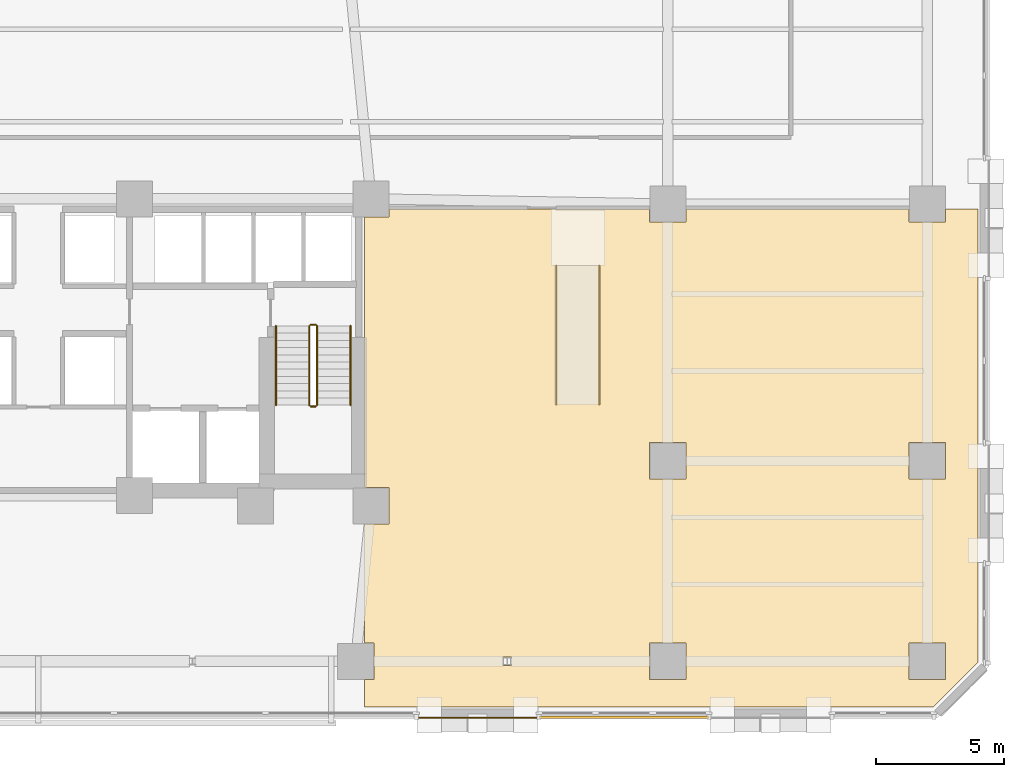
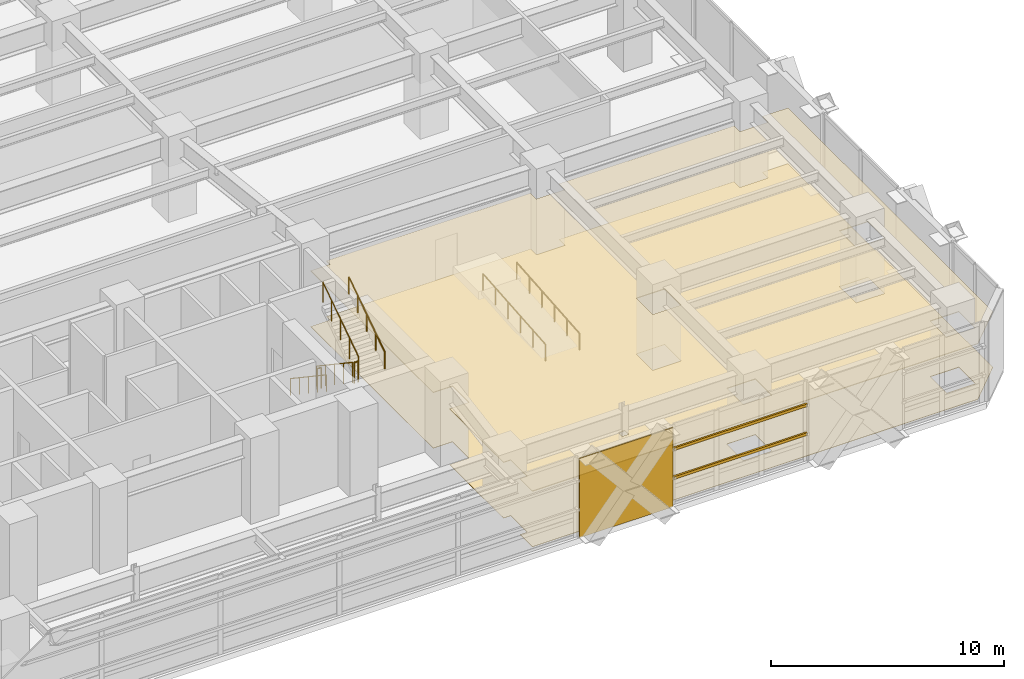
# One storey, part 26 of 30: 8 railings, 3 coverings, 2 shading devices.
"""IFC4 building model written with IfcOpenShell, lengths in metres."""

import ifcopenshell
import ifcopenshell.guid

model = None  # the IFC model being written
_history = None  # IfcOwnerHistory: only IFC2X3 demands one
_inside = {}  # id of a spatial element -> (the spatial element, [elements in it])
_under = {}  # id of a project, library or spatial element -> (it, [spatial elements below it])
_declared = {}  # id of a project -> (the project, [libraries it declares])
_typed = {}  # id of a type object -> (the type object, [elements of that type])
_made_of = {}  # id of a material, layer set ... -> (it, [elements and type objects made of it])


def new_model(schema):
    """Start an empty IFC model of exactly this schema.

    Asked for "IFC4X3", IfcOpenShell would pick the latest addendum, in which some entities
    have other attributes; the version numbers below select the first issue.
    IFC2X3 requires an IfcOwnerHistory on every rooted entity: one is made here for all.
    """
    global model, _history
    if schema == "IFC4X3":
        model = ifcopenshell.file(schema_version=(4, 3, 0, 0))
    else:
        model = ifcopenshell.file(schema=schema)
    _inside.clear()
    _under.clear()
    _declared.clear()
    _typed.clear()
    _made_of.clear()
    _history = None
    if model.schema == "IFC2X3":
        org = make("IfcOrganization", Name="unknown")
        user = make(
            "IfcPersonAndOrganization",
            ThePerson=make("IfcPerson", FamilyName="unknown"),
            TheOrganization=org,
        )
        app = make(
            "IfcApplication",
            ApplicationDeveloper=org,
            Version="unknown",
            ApplicationFullName="unknown",
            ApplicationIdentifier="unknown",
        )
        _history = make(
            "IfcOwnerHistory",
            OwningUser=user,
            OwningApplication=app,
            ChangeAction="ADDED",
            CreationDate=0,
        )
    return model


def make(cls, **values):
    """One entity of the class cls with the attributes given. An attribute that is None is left unset."""
    return model.create_entity(
        cls, **{name: value for name, value in values.items() if value is not None}
    )


def rooted(cls, **values):
    """An entity with a GlobalId (a new one), such as an element, a storey or a relation."""
    return make(cls, GlobalId=ifcopenshell.guid.new(), OwnerHistory=_history, **values)


def si_unit(unit_type, name, prefix=None):
    """IfcSIUnit, for example si_unit("LENGTHUNIT", "METRE", prefix="MILLI")."""
    return make("IfcSIUnit", UnitType=unit_type, Prefix=prefix, Name=name)


def assignment(units):
    """IfcUnitAssignment: the units of a project."""
    return None if units is None else make("IfcUnitAssignment", Units=units)


def point(xyz):
    """IfcCartesianPoint."""
    return None if xyz is None else make("IfcCartesianPoint", Coordinates=xyz)


def direction(xyz):
    """IfcDirection."""
    return None if xyz is None else make("IfcDirection", DirectionRatios=xyz)


def frame(location, z_axis=None, x_axis=None):
    """IfcAxis2Placement3D, a coordinate frame: its origin and axes. An axis left out is left unset."""
    return make(
        "IfcAxis2Placement3D",
        Location=point(location),
        Axis=direction(z_axis),
        RefDirection=direction(x_axis),
    )


def frame_2d(location, x_axis=None):
    """IfcAxis2Placement2D, a coordinate frame in the plane: its origin and x axis."""
    return make(
        "IfcAxis2Placement2D", Location=point(location), RefDirection=direction(x_axis)
    )


def origin():
    """The frame at (0, 0, 0) with its axes left unset."""
    return frame((0.0, 0.0, 0.0))


def origin_2d():
    """The frame at (0, 0) in the plane with its x axis left unset."""
    return frame_2d((0.0, 0.0))


def place(relative_to, where):
    """IfcLocalPlacement: puts the frame where relative to a parent placement (None: the world)."""
    return make(
        "IfcLocalPlacement", PlacementRelTo=relative_to, RelativePlacement=where
    )


def context(
    kind, dimensions, precision=None, world=None, true_north=None, identifier=None
):
    """IfcGeometricRepresentationContext, for example the 3D "Model" context."""
    return make(
        "IfcGeometricRepresentationContext",
        ContextIdentifier=identifier,
        ContextType=kind,
        CoordinateSpaceDimension=dimensions,
        Precision=precision,
        WorldCoordinateSystem=world,
        TrueNorth=true_north,
    )


def subcontext(parent, identifier, kind, view, scale=None):
    """IfcGeometricRepresentationSubContext, for example "Body" below "Model"."""
    return make(
        "IfcGeometricRepresentationSubContext",
        ContextIdentifier=identifier,
        ContextType=kind,
        ParentContext=parent,
        TargetScale=scale,
        TargetView=view,
    )


def project(units=None, contexts=None):
    """IfcProject with its units and contexts."""
    return rooted(
        "IfcProject",
        Name="project",
        RepresentationContexts=contexts,
        UnitsInContext=assignment(units),
    )


def spatial(cls, under=None, at=None, **own):
    """A site, building, storey or space (cls), placed at a placement, below another one or the project."""
    s = rooted(cls, ObjectPlacement=at, **own)
    if under is not None:
        _under.setdefault(under.id(), (under, []))[1].append(s)
    return s


def polyline(points):
    """IfcPolyline through the points."""
    return make("IfcPolyline", Points=[point(p) for p in points])


def profile(cls, at=None, kind="AREA", **sizes):
    """A parametric profile (cls). Its sizes go by their IFC names, for example OverallWidth=200.0."""
    return make(cls, ProfileType=kind, Position=at, **sizes)


def rectangle(**sizes):
    """IfcRectangleProfileDef."""
    return profile("IfcRectangleProfileDef", **sizes)


def circle(**sizes):
    """IfcCircleProfileDef."""
    return profile("IfcCircleProfileDef", **sizes)


def outline(outer, holes=None, kind="AREA"):
    """IfcArbitraryClosedProfileDef: a profile drawn as a closed curve; with holes, ...WithVoids."""
    if holes is None:
        return make("IfcArbitraryClosedProfileDef", ProfileType=kind, OuterCurve=outer)
    return make(
        "IfcArbitraryProfileDefWithVoids",
        ProfileType=kind,
        OuterCurve=outer,
        InnerCurves=holes,
    )


def extrude(swept, where, along, depth):
    """IfcExtrudedAreaSolid: the profile swept, set in the frame where, extruded along a direction by depth."""
    return make(
        "IfcExtrudedAreaSolid",
        SweptArea=swept,
        Position=where,
        ExtrudedDirection=direction(along),
        Depth=depth,
    )


def shape(context_of_items, identifier, shape_type, items):
    """IfcShapeRepresentation: the items that make up one representation, for example the "Body"."""
    return make(
        "IfcShapeRepresentation",
        ContextOfItems=context_of_items,
        RepresentationIdentifier=identifier,
        RepresentationType=shape_type,
        Items=items,
    )


def material(Name=None, Category=None):
    """IfcMaterial."""
    return make("IfcMaterial", Name=Name, Category=Category)


def layer(
    of_material, thickness, ventilated=None, Name=None, Category=None, Priority=None
):
    """IfcMaterialLayer: one layer of a wall or slab, of a material (None: an air gap)."""
    return make(
        "IfcMaterialLayer",
        Material=of_material,
        LayerThickness=thickness,
        IsVentilated=ventilated,
        Name=Name,
        Category=Category,
        Priority=Priority,
    )


def layer_set(layers, Name=None):
    """IfcMaterialLayerSet."""
    return make("IfcMaterialLayerSet", MaterialLayers=layers, LayerSetName=Name)


def material_profile(
    of_material, cross_section, Name=None, Category=None, Priority=None
):
    """IfcMaterialProfile: a cross section and its material."""
    return make(
        "IfcMaterialProfile",
        Name=Name,
        Material=of_material,
        Profile=cross_section,
        Priority=Priority,
        Category=Category,
    )


def profile_set(profiles, Name=None, composite=None):
    """IfcMaterialProfileSet."""
    return make(
        "IfcMaterialProfileSet",
        Name=Name,
        MaterialProfiles=profiles,
        CompositeProfile=composite,
    )


def made_of(thing, what):
    """Note that an element or type object is made of a material, layer set ...; save() writes the relation."""
    if what is not None:
        _made_of.setdefault(what.id(), (what, []))[1].append(thing)
    return thing


def type_object(cls, material=None, **own):
    """A type object (cls), such as IfcWallType, which elements share."""
    return made_of(rooted(cls, **own), material)


def element(
    cls,
    number,
    at=None,
    inside=None,
    cuts=None,
    type_object=None,
    material=None,
    context=None,
    identifier="Body",
    shape_type=None,
    held_by="IfcProductDefinitionShape",
    body=None,
    shapes=None,
    **own,
):
    """One element of the class cls, such as IfcWall. Its Tag is "e" and its number.

    at: its placement. inside: the storey or other place that contains it. cuts: it is an
    opening in that element (IfcRelVoidsElement). A single representation is given by context,
    identifier, shape_type and body (its items); several are given by shapes. held_by: the class
    of the entity that holds the representations. save() writes the other relations.
    """
    e = rooted(cls, Tag="e%d" % number, ObjectPlacement=at, **own)
    if body is not None:
        shapes = [shape(context, identifier, shape_type, body)]
    if shapes is not None:
        e.Representation = make(held_by, Representations=shapes)
    if inside is not None:
        _inside.setdefault(inside.id(), (inside, []))[1].append(e)
    if cuts is not None:
        rooted(
            "IfcRelVoidsElement", RelatingBuildingElement=cuts, RelatedOpeningElement=e
        )
    if type_object is not None:
        _typed.setdefault(type_object.id(), (type_object, []))[1].append(e)
    return made_of(e, material)


def aggregate(whole, parts):
    """IfcRelAggregates: a whole, such as a stair, and the parts it consists of."""
    return rooted("IfcRelAggregates", RelatingObject=whole, RelatedObjects=parts)


def save(model, path):
    """Write the relations noted so far, then the file.

    IfcRelAggregates (storeys below a building ...), IfcRelContainedInSpatialStructure (elements
    in a storey), IfcRelDefinesByType, IfcRelAssociatesMaterial and IfcRelDeclares: one each for
    every whole, place, type object, material and project.
    """
    for whole, parts in _under.values():
        aggregate(whole, parts)
    for where, things in _inside.values():
        rooted(
            "IfcRelContainedInSpatialStructure",
            RelatedElements=things,
            RelatingStructure=where,
        )
    for kind, things in _typed.values():
        rooted("IfcRelDefinesByType", RelatedObjects=things, RelatingType=kind)
    for what, things in _made_of.values():
        rooted("IfcRelAssociatesMaterial", RelatedObjects=things, RelatingMaterial=what)
    for by, libraries in _declared.values():
        rooted("IfcRelDeclares", RelatingContext=by, RelatedDefinitions=libraries)
    model.write(path)


model = new_model("IFC4")

# Units and contexts
model_context = context("Model", 3, precision=1e-05, world=origin(), true_north=direction((0.0, 1.0)))
body_context = subcontext(model_context, "Body", "Model", "MODEL_VIEW")
ifc_project = project(units=[si_unit("LENGTHUNIT", "METRE"), si_unit("AREAUNIT", "SQUARE_METRE"), si_unit("VOLUMEUNIT", "CUBIC_METRE"), si_unit("PLANEANGLEUNIT", "RADIAN"), si_unit("MASSUNIT", "GRAM", prefix="KILO")], contexts=[model_context])

# Site, building, storey
site_placement = place(None, origin())
site = spatial("IfcSite", under=ifc_project, at=site_placement, CompositionType="ELEMENT")
building_placement = place(site_placement, origin())
building = spatial("IfcBuilding", under=site, at=building_placement, Name="Quenlor Broadcast Tower", CompositionType="ELEMENT")
storey_placement = place(building_placement, frame((0.0, 0.0, 9.5)))
storey = spatial("IfcBuildingStorey", under=building, at=storey_placement, Name="L02", CompositionType="ELEMENT", Elevation=9.5)

# Covering
ifc_material_1 = material(Name="Acoustic Gypsum Board", Category="other")
ifc_layer_1 = layer(ifc_material_1, 0.0400390625)
ifc_layer_set_1 = layer_set([ifc_layer_1], Name="Broadcast Studio Spring Isolated Ceiling 40")
covering_type_1 = type_object("IfcCoveringType", Name="Broadcast Studio Spring Isolated Ceiling 40", PredefinedType="CEILING", material=ifc_layer_set_1)
covering_1_placement = place(storey_placement, frame((0.0, 0.0, 2.909912109375)))
element("IfcCovering", 1, at=covering_1_placement, inside=storey, type_object=covering_type_1, Name="L02 Acoustic Ceiling L02-32", PredefinedType="CEILING", context=body_context, shape_type="SweptSolid", body=[
    extrude(outline(polyline([(12.699951171875, -24.580078125), (12.699951171875, -23.508056640625), (13.05810546875, -23.508056640625), (13.05810546875, -22.092041015625), (12.699951171875, -22.092041015625), (12.699951171875, -17.4580078125), (13.657958984375, -17.4580078125), (13.657958984375, -16.0419921875), (12.699951171875, -16.0419921875), (12.699951171875, -5.508056640625), (13.657958984375, -5.508056640625), (13.657958984375, -5.199951171875), (23.7919921875, -5.199951171875), (23.7919921875, -5.7080078125), (25.2080078125, -5.7080078125), (25.2080078125, -5.199951171875), (33.89208984375, -5.199951171875), (33.89208984375, -5.7080078125), (35.30810546875, -5.7080078125), (35.30810546875, -5.199951171875), (36.580078125, -5.199951171875), (36.580078125, -22.825927734375), (34.825927734375, -24.580078125), (12.699951171875, -24.580078125)]), holes=[polyline([(35.30810546875, -23.508056640625), (35.30810546875, -22.092041015625), (33.89208984375, -22.092041015625), (33.89208984375, -23.508056640625), (35.30810546875, -23.508056640625)]), polyline([(18.41259765625, -22.96826171875), (18.41259765625, -22.631591796875), (18.08740234375, -22.631591796875), (18.08740234375, -22.96826171875), (18.41259765625, -22.96826171875)]), polyline([(25.2080078125, -23.508056640625), (25.2080078125, -22.092041015625), (23.7919921875, -22.092041015625), (23.7919921875, -23.508056640625), (25.2080078125, -23.508056640625)]), polyline([(35.30810546875, -15.7080078125), (35.30810546875, -14.2919921875), (33.89208984375, -14.2919921875), (33.89208984375, -15.7080078125), (35.30810546875, -15.7080078125)]), polyline([(25.2080078125, -15.7080078125), (25.2080078125, -14.2919921875), (23.7919921875, -14.2919921875), (23.7919921875, -15.7080078125), (25.2080078125, -15.7080078125)])]), origin(), (0.0, 0.0, 1.0), 0.0400390625),
])

# Shading devices
ifc_material_2 = material(Name="Architectural Terracotta Ceramic", Category="masonry")
ifc_material_profile = material_profile(ifc_material_2, rectangle(XDim=0.090087890625, YDim=0.139892578125, at=origin_2d()))
ifc_profile_set = profile_set([ifc_material_profile], Name="Architectural Terracotta Ceramic BAG90x140")
shading_device_type = type_object("IfcShadingDeviceType", Name="Copper Terracotta Baguette Solar Screen 140", PredefinedType="USERDEFINED", material=ifc_profile_set)
for number, where, z_axis, x_axis, name in (
    (2, (26.109619140625, -24.972900390625, 1.511962890625), (-1.0, 0.0, 0.0), (0.0, -1.0, 0.0), "L02 Terracotta Baguette Screen 1"),
    (3, (26.109619140625, -24.972900390625, 3.02392578125), (-1.0, 0.0, 0.0), (0.0, -1.0, 0.0), "L02 Terracotta Baguette Screen 2"),
):
    element("IfcShadingDevice", number, at=place(storey_placement, frame(where, z_axis=z_axis, x_axis=x_axis)), inside=storey, type_object=shading_device_type, Name=name, ObjectType="BAGUETTE", PredefinedType="USERDEFINED", context=body_context, shape_type="SweptSolid", body=[
        extrude(rectangle(XDim=0.090087890625, YDim=0.139892578125, at=origin_2d()), origin(), (0.0, 0.0, 1.0), 6.619140625),
    ])

# Coverings
ifc_material_3 = material(Name="Architectural Terracotta Ceramic", Category="masonry")
ifc_layer_2 = layer(ifc_material_3, 0.044921875)
ifc_layer_set_2 = layer_set([ifc_layer_2], Name="Fluted Terracotta Rainscreen Cladding Panel")
covering_type_2 = type_object("IfcCoveringType", Name="Fluted Terracotta Rainscreen Cladding Panel", PredefinedType="CLADDING", material=ifc_layer_set_2)
covering_2_placement = place(storey_placement, frame((0.0, 0.0, 0.02001953125)))
element("IfcCovering", 4, at=covering_2_placement, inside=storey, type_object=covering_type_2, Name="L02 Terracotta Rainscreen Cladding L02-S-FULL-SP2", PredefinedType="CLADDING", context=body_context, shape_type="SweptSolid", body=[
    extrude(outline(polyline([(19.41943359375, -24.971923828125), (14.780517578125, -24.971923828125), (14.780517578125, -25.01708984375), (19.41943359375, -25.01708984375), (19.41943359375, -24.971923828125)])), origin(), (0.0, 0.0, 1.0), 4.159912109375),
])
ifc_material_4 = material(Name="Terrazzo Stone Finish", Category="masonry")
ifc_layer_3 = layer(ifc_material_4, 0.02001953125)
ifc_layer_set_3 = layer_set([ifc_layer_3], Name="Polished Sandstone Terrazzo Flooring 20")
covering_type_3 = type_object("IfcCoveringType", Name="Polished Sandstone Terrazzo Flooring 20", PredefinedType="FLOORING", material=ifc_layer_set_3)
covering_3_placement = place(storey_placement, origin())
element("IfcCovering", 5, at=covering_3_placement, inside=storey, type_object=covering_type_3, Name="L02 Terrazzo Flooring L02-32", PredefinedType="FLOORING", context=body_context, shape_type="SweptSolid", body=[
    extrude(outline(polyline([(12.699951171875, -24.580078125), (12.699951171875, -23.508056640625), (13.05810546875, -23.508056640625), (13.05810546875, -22.092041015625), (12.699951171875, -22.092041015625), (12.699951171875, -17.4580078125), (13.657958984375, -17.4580078125), (13.657958984375, -16.0419921875), (12.699951171875, -16.0419921875), (12.699951171875, -5.508056640625), (13.657958984375, -5.508056640625), (13.657958984375, -5.199951171875), (23.7919921875, -5.199951171875), (23.7919921875, -5.7080078125), (25.2080078125, -5.7080078125), (25.2080078125, -5.199951171875), (33.89208984375, -5.199951171875), (33.89208984375, -5.7080078125), (35.30810546875, -5.7080078125), (35.30810546875, -5.199951171875), (36.580078125, -5.199951171875), (36.580078125, -22.825927734375), (34.825927734375, -24.580078125), (12.699951171875, -24.580078125)]), holes=[polyline([(35.30810546875, -23.508056640625), (35.30810546875, -22.092041015625), (33.89208984375, -22.092041015625), (33.89208984375, -23.508056640625), (35.30810546875, -23.508056640625)]), polyline([(18.41259765625, -22.96826171875), (18.41259765625, -22.631591796875), (18.08740234375, -22.631591796875), (18.08740234375, -22.96826171875), (18.41259765625, -22.96826171875)]), polyline([(25.2080078125, -23.508056640625), (25.2080078125, -22.092041015625), (23.7919921875, -22.092041015625), (23.7919921875, -23.508056640625), (25.2080078125, -23.508056640625)]), polyline([(35.30810546875, -15.7080078125), (35.30810546875, -14.2919921875), (33.89208984375, -14.2919921875), (33.89208984375, -15.7080078125), (35.30810546875, -15.7080078125)]), polyline([(25.2080078125, -15.7080078125), (25.2080078125, -14.2919921875), (23.7919921875, -14.2919921875), (23.7919921875, -15.7080078125), (25.2080078125, -15.7080078125)])]), origin(), (0.0, 0.0, 1.0), 0.02001953125),
])

# Railings
ifc_material_5 = material(Name="Anodised Aluminium", Category="aluminium")
railing_type_1 = type_object("IfcRailingType", Name="Stainless Aluminium Wall Handrail 900", PredefinedType="HANDRAIL", material=ifc_material_5)
railing_1_placement = place(storey_placement, frame((9.25, -9.75, 0.1875)))
element("IfcRailing", 6, at=railing_1_placement, inside=storey, type_object=railing_type_1, Name="L02 ST-2 stair handrail 1", PredefinedType="HANDRAIL", context=body_context, shape_type="SweptSolid", body=[
    extrude(circle(Radius=0.02392578125, at=origin_2d()), frame((0.0, 0.0, 0.8759765625), z_axis=(0.0, -0.830913701846, 0.55640131208), x_axis=(1.0, 0.0, 0.0)), (0.0, 0.0, 1.0), 3.706787109375),
    extrude(circle(Radius=0.02099609375, at=origin_2d()), origin(), (0.0, 0.0, 1.0), 0.851806640625),
    extrude(circle(Radius=0.02099609375, at=origin_2d()), frame((0.0, -0.77001953125, 0.515625)), (0.0, 0.0, 1.0), 0.851806640625),
    extrude(circle(Radius=0.02099609375, at=origin_2d()), frame((0.0, -1.5400390625, 1.03125)), (0.0, 0.0, 1.0), 0.851806640625),
    extrude(circle(Radius=0.02099609375, at=origin_2d()), frame((0.0, -2.31005859375, 1.546875)), (0.0, 0.0, 1.0), 0.851806640625),
    extrude(circle(Radius=0.02099609375, at=origin_2d()), frame((0.0, -3.080078125, 2.0625)), (0.0, 0.0, 1.0), 0.851806640625),
])
railing_2_placement = place(storey_placement, frame((12.14990234375, -12.830078125, 2.4375)))
element("IfcRailing", 7, at=railing_2_placement, inside=storey, type_object=railing_type_1, Name="L02 ST-2 stair handrail 2", PredefinedType="HANDRAIL", context=body_context, shape_type="SweptSolid", body=[
    extrude(circle(Radius=0.02392578125, at=origin_2d()), frame((0.0, 0.0, 0.8759765625), z_axis=(0.0, 0.830913701846, 0.55640131208), x_axis=(-1.0, 0.0, 0.0)), (0.0, 0.0, 1.0), 3.706787109375),
    extrude(circle(Radius=0.02099609375, at=origin_2d()), origin(), (0.0, 0.0, 1.0), 0.851806640625),
    extrude(circle(Radius=0.02099609375, at=origin_2d()), frame((0.0, 0.77001953125, 0.515625)), (0.0, 0.0, 1.0), 0.851806640625),
    extrude(circle(Radius=0.02099609375, at=origin_2d()), frame((0.0, 1.5400390625, 1.03125)), (0.0, 0.0, 1.0), 0.851806640625),
    extrude(circle(Radius=0.02099609375, at=origin_2d()), frame((0.0, 2.31005859375, 1.546875)), (0.0, 0.0, 1.0), 0.851806640625),
    extrude(circle(Radius=0.02099609375, at=origin_2d()), frame((0.0, 3.080078125, 2.0625)), (0.0, 0.0, 1.0), 0.851806640625),
])
for number, where, name in (
    (8, (20.159912109375, -12.800048828125, 0.0), "L02 Accessible Ramp Handrail 2L"),
    (9, (21.840087890625, -12.800048828125, 0.0), "L02 Accessible Ramp Handrail 2R"),
):
    element("IfcRailing", number, at=place(storey_placement, frame(where)), inside=storey, type_object=railing_type_1, Name=name, PredefinedType="HANDRAIL", context=body_context, shape_type="SweptSolid", body=[
        extrude(circle(Radius=0.02392578125, at=origin_2d()), frame((0.0, 0.0, 0.8759765625), z_axis=(0.0, 0.996546690331, 0.083034294059), x_axis=(-1.0, 0.0, 0.0)), (0.0, 0.0, 1.0), 5.4189453125),
        extrude(circle(Radius=0.02099609375, at=origin_2d()), origin(), (0.0, 0.0, 1.0), 0.851806640625),
        extrude(circle(Radius=0.02099609375, at=origin_2d()), frame((0.0, 1.080078125, 0.090087890625)), (0.0, 0.0, 1.0), 0.851806640625),
        extrude(circle(Radius=0.02099609375, at=origin_2d()), frame((0.0, 2.16015625, 0.179931640625)), (0.0, 0.0, 1.0), 0.851806640625),
        extrude(circle(Radius=0.02099609375, at=origin_2d()), frame((0.0, 3.239990234375, 0.27001953125)), (0.0, 0.0, 1.0), 0.851806640625),
        extrude(circle(Radius=0.02099609375, at=origin_2d()), frame((0.0, 4.320068359375, 0.35986328125)), (0.0, 0.0, 1.0), 0.851806640625),
        extrude(circle(Radius=0.02099609375, at=origin_2d()), frame((0.0, 5.400146484375, 0.449951171875)), (0.0, 0.0, 1.0), 0.851806640625),
    ])
ifc_material_6 = material(Name="Steel S355", Category="steel")
railing_type_2 = type_object("IfcRailingType", Name="Tubular Steel S355 Stair Guardrail 1100", PredefinedType="BALUSTRADE", material=ifc_material_6)
railing_3_placement = place(storey_placement, frame((10.550048828125, -9.75, 0.1875)))
element("IfcRailing", 10, at=railing_3_placement, inside=storey, type_object=railing_type_2, Name="L02 ST-2 stair guard 1", PredefinedType="BALUSTRADE", context=body_context, shape_type="SweptSolid", body=[
    extrude(circle(Radius=0.02392578125, at=origin_2d()), frame((0.0, 0.0, 1.076171875), z_axis=(0.0, -0.830913701846, 0.55640131208), x_axis=(1.0, 0.0, 0.0)), (0.0, 0.0, 1.0), 3.706787109375),
    extrude(circle(Radius=0.02099609375, at=origin_2d()), origin(), (0.0, 0.0, 1.0), 1.052001953125),
    extrude(circle(Radius=0.02099609375, at=origin_2d()), frame((0.0, -0.77001953125, 0.515625)), (0.0, 0.0, 1.0), 1.052001953125),
    extrude(circle(Radius=0.02099609375, at=origin_2d()), frame((0.0, -1.5400390625, 1.03125)), (0.0, 0.0, 1.0), 1.052001953125),
    extrude(circle(Radius=0.02099609375, at=origin_2d()), frame((0.0, -2.31005859375, 1.546875)), (0.0, 0.0, 1.0), 1.052001953125),
    extrude(circle(Radius=0.02099609375, at=origin_2d()), frame((0.0, -3.080078125, 2.0625)), (0.0, 0.0, 1.0), 1.052001953125),
])
railing_4_placement = place(storey_placement, frame((10.60009765625, -12.8798828125, 2.25)))
element("IfcRailing", 11, at=railing_4_placement, inside=storey, type_object=railing_type_2, Name="L02 ST-2 stair guard 2", PredefinedType="BALUSTRADE", context=body_context, shape_type="SweptSolid", body=[
    extrude(circle(Radius=0.02392578125, at=origin_2d()), frame((0.0, 0.0, 1.076171875), z_axis=(1.0, 0.0, 0.0), x_axis=(0.0, 1.0, 0.0)), (0.0, 0.0, 1.0), 0.199951171875),
    extrude(circle(Radius=0.02099609375, at=origin_2d()), origin(), (0.0, 0.0, 1.0), 1.052001953125),
    extrude(circle(Radius=0.02099609375, at=origin_2d()), frame((0.199951171875, 0.0, 0.0)), (0.0, 0.0, 1.0), 1.052001953125),
])
railing_5_placement = place(storey_placement, frame((10.85009765625, -12.830078125, 2.4375)))
element("IfcRailing", 12, at=railing_5_placement, inside=storey, type_object=railing_type_2, Name="L02 ST-2 stair guard 3", PredefinedType="BALUSTRADE", context=body_context, shape_type="SweptSolid", body=[
    extrude(circle(Radius=0.02392578125, at=origin_2d()), frame((0.0, 0.0, 1.076171875), z_axis=(0.0, 0.830913701846, 0.55640131208), x_axis=(-1.0, 0.0, 0.0)), (0.0, 0.0, 1.0), 3.706787109375),
    extrude(circle(Radius=0.02099609375, at=origin_2d()), origin(), (0.0, 0.0, 1.0), 1.052001953125),
    extrude(circle(Radius=0.02099609375, at=origin_2d()), frame((0.0, 0.77001953125, 0.515625)), (0.0, 0.0, 1.0), 1.052001953125),
    extrude(circle(Radius=0.02099609375, at=origin_2d()), frame((0.0, 1.5400390625, 1.03125)), (0.0, 0.0, 1.0), 1.052001953125),
    extrude(circle(Radius=0.02099609375, at=origin_2d()), frame((0.0, 2.31005859375, 1.546875)), (0.0, 0.0, 1.0), 1.052001953125),
    extrude(circle(Radius=0.02099609375, at=origin_2d()), frame((0.0, 3.080078125, 2.0625)), (0.0, 0.0, 1.0), 1.052001953125),
])
railing_6_placement = place(storey_placement, frame((10.60009765625, -9.699951171875, 0.0)))
element("IfcRailing", 13, at=railing_6_placement, inside=storey, type_object=railing_type_2, Name="L02 ST-2 stair guard 4", PredefinedType="BALUSTRADE", context=body_context, shape_type="SweptSolid", body=[
    extrude(circle(Radius=0.02392578125, at=origin_2d()), frame((0.0, 0.0, 1.076171875), z_axis=(1.0, 0.0, 0.0), x_axis=(0.0, 1.0, 0.0)), (0.0, 0.0, 1.0), 0.199951171875),
    extrude(circle(Radius=0.02099609375, at=origin_2d()), origin(), (0.0, 0.0, 1.0), 1.052001953125),
    extrude(circle(Radius=0.02099609375, at=origin_2d()), frame((0.199951171875, 0.0, 0.0)), (0.0, 0.0, 1.0), 1.052001953125),
])

save(model, "model.ifc")
